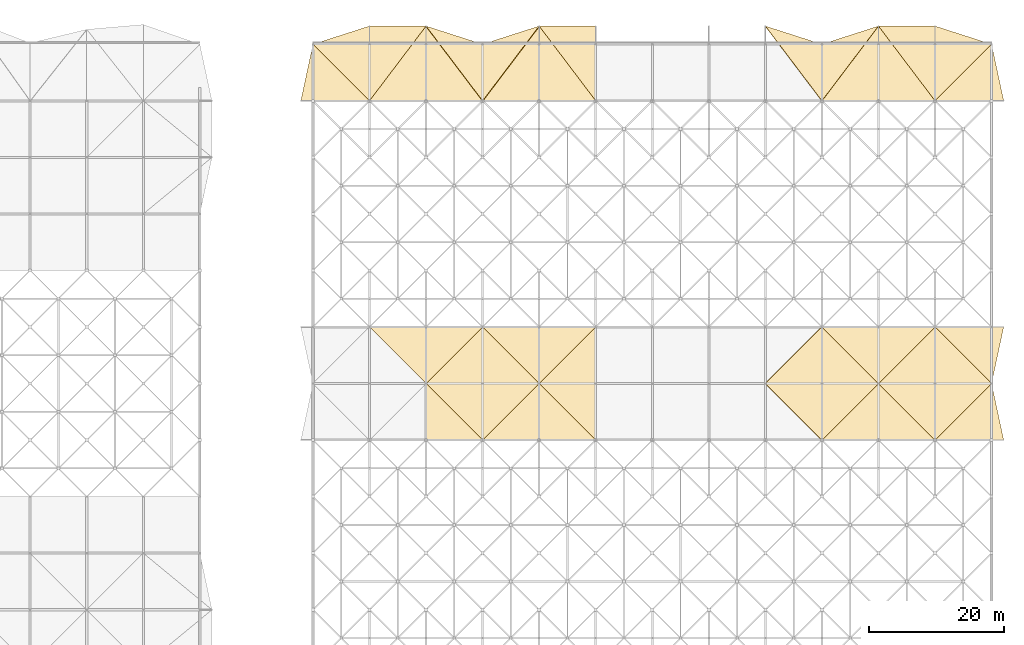
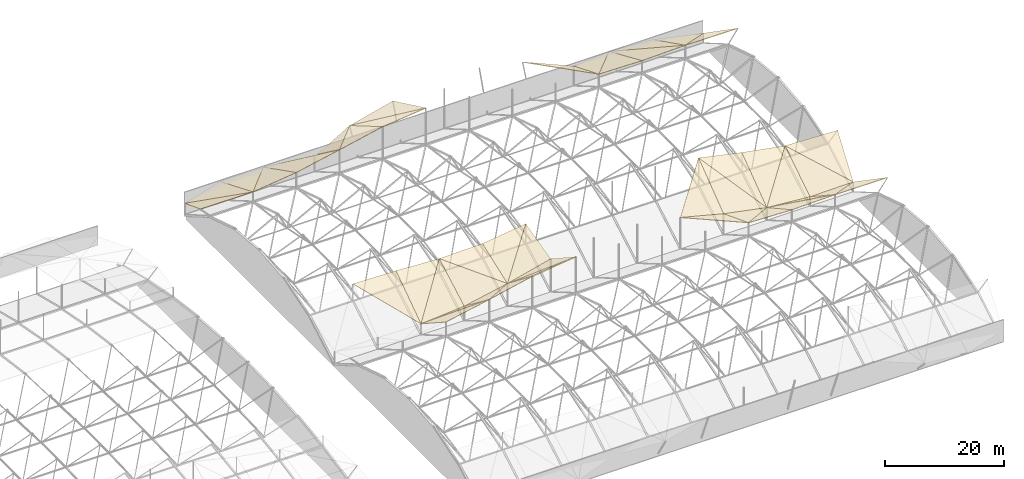
# One storey, part 111 of 111: 44 coverings.
"""IFC4 building model written with IfcOpenShell, lengths in metres."""

from ifc_helpers import new_model, si_unit, direction, frame, origin, place, context, subcontext, project, spatial, polyline, outline, extrude, material, layer, layer_set, type_object, element, save


model = new_model("IFC4")

# Units and contexts
model_context = context("Model", 3, precision=1e-05, world=origin(), true_north=direction((0.0, 1.0)))
body_context = subcontext(model_context, "Body", "Model", "MODEL_VIEW")
ifc_project = project(units=[si_unit("LENGTHUNIT", "METRE"), si_unit("AREAUNIT", "SQUARE_METRE"), si_unit("VOLUMEUNIT", "CUBIC_METRE"), si_unit("PLANEANGLEUNIT", "RADIAN"), si_unit("MASSUNIT", "GRAM", prefix="KILO")], contexts=[model_context])

# Site, building, storey
site_placement = place(None, origin())
site = spatial("IfcSite", under=ifc_project, at=site_placement, CompositionType="ELEMENT")
building_placement = place(site_placement, origin())
building = spatial("IfcBuilding", under=site, at=building_placement, Name="Rain Tree Exposition and Congress Centre", CompositionType="ELEMENT")
storey_placement = place(building_placement, frame((0.0, 0.0, 19.5)))
storey = spatial("IfcBuildingStorey", under=building, at=storey_placement, Name="RF", CompositionType="ELEMENT", Elevation=19.5)

# Coverings
ifc_material = material(Name="Aluminium composite cladding", Category="aluminium")
ifc_layer = layer(ifc_material, 0.10009765625)
ifc_layer_set = layer_set([ifc_layer], Name="Aluminium composite cladding")
covering_type = type_object("IfcCoveringType", Name="Triangular aluminium roof skin facet 100", PredefinedType="CLADDING", material=ifc_layer_set)
covering_1_placement = place(storey_placement, frame((159.60009765625, 142.800048828125, 8.239501953125), z_axis=(-0.165280450957, 0.53860823986, 0.826186139127), x_axis=(0.980570809068, 0.0, 0.196165461804)))
element("IfcCovering", 1, at=covering_1_placement, inside=storey, type_object=covering_type, Name="Roof skin facet B125", PredefinedType="CLADDING", context=body_context, shape_type="SweptSolid", body=[
    extrude(outline(polyline([(0.0, 0.0), (8.566339387297887, 0.0), (-1.0742166279914616, 9.969543964993678), (0.0, 0.0)])), origin(), (0.0, 0.0, -1.0), 0.10009765625),
])
covering_2_placement = place(storey_placement, frame((168.0, 142.800048828125, 9.919921875), z_axis=(-0.063781907794, 0.609476667344, 0.790234180608), x_axis=(0.0, 0.791846489979, -0.610720178402)))
element("IfcCovering", 2, at=covering_2_placement, inside=storey, type_object=covering_type, Name="Roof skin facet B126", PredefinedType="CLADDING", context=body_context, shape_type="SweptSolid", body=[
    extrude(outline(polyline([(0.0, 0.0), (10.607993405347964, 0.0), (11.0220485653631, 8.417040606807756), (0.0, 0.0)])), origin(), (0.0, 0.0, -1.0), 0.10009765625),
])
covering_3_placement = place(storey_placement, frame((168.0, 142.800048828125, 9.919921875), z_axis=(-0.169636266752, 0.609294747627, 0.774585984586), x_axis=(0.976848497466, 0.0, 0.21393226264)))
element("IfcCovering", 3, at=covering_3_placement, inside=storey, type_object=covering_type, Name="Roof skin facet B127", PredefinedType="CLADDING", context=body_context, shape_type="SweptSolid", body=[
    extrude(outline(polyline([(0.0, 0.0), (8.598981690139212, 2.220446049250313e-16), (7.185440978200673, 10.593313262358361), (0.0, 0.0)])), origin(), (0.0, 0.0, -1.0), 0.10009765625),
])
covering_4_placement = place(storey_placement, frame((168.0, 142.800048828125, 9.919921875), z_axis=(-0.159207646983, 0.602930515249, 0.781746582291), x_axis=(0.656224651646, 0.656224651646, -0.372476057141)))
element("IfcCovering", 4, at=covering_4_placement, inside=storey, type_object=covering_type, Name="Roof skin facet B128", PredefinedType="CLADDING", context=body_context, shape_type="SweptSolid", body=[
    extrude(outline(polyline([(0.0, 0.0), (12.80034561743014, -8.881784197001252e-16), (7.9253149455177105, 7.05116352825968), (0.0, 0.0)])), origin(), (0.0, 0.0, -1.0), 0.10009765625),
])
covering_5_placement = place(storey_placement, frame((176.39990234375, 142.800048828125, 11.759521484375), z_axis=(-0.099242491441, 0.615203127166, 0.782097206373), x_axis=(0.992045049517, 0.0, 0.125883357636)))
element("IfcCovering", 5, at=covering_5_placement, inside=storey, type_object=covering_type, Name="Roof skin facet B129", PredefinedType="CLADDING", context=body_context, shape_type="SweptSolid", body=[
    extrude(outline(polyline([(0.0, 0.0), (8.467505067908833, 0.0), (-0.8317644509439512, 10.654790055036804), (0.0, 0.0)])), origin(), (0.0, 0.0, -1.0), 0.10009765625),
])
covering_6_placement = place(storey_placement, frame((184.800048828125, 142.800048828125, 12.825439453125), z_axis=(-0.207317041695, 0.538660218938, 0.816617911116), x_axis=(0.0, 0.834753935039, -0.550623163277)))
element("IfcCovering", 6, at=covering_6_placement, inside=storey, type_object=covering_type, Name="Roof skin facet B130", PredefinedType="CLADDING", context=body_context, shape_type="SweptSolid", body=[
    extrude(outline(polyline([(0.0, 0.0), (10.06272865710886, 1.1102230246251565e-16), (11.23697019305228, 8.586702835293085), (0.0, 0.0)])), origin(), (0.0, 0.0, -1.0), 0.10009765625),
])
covering_7_placement = place(storey_placement, frame((218.39990234375, 142.800048828125, 8.054931640625), z_axis=(0.234890478885, 0.352348883358, 0.905912096909), x_axis=(0.0, 0.931987386493, -0.362490705285)))
element("IfcCovering", 7, at=covering_7_placement, inside=storey, type_object=covering_type, Name="Roof skin facet B138", PredefinedType="CLADDING", context=body_context, shape_type="SweptSolid", body=[
    extrude(outline(polyline([(0.0, 0.0), (9.012892733838074, 0.0), (8.22339576561287, 8.641680643036056), (0.0, 0.0)])), origin(), (0.0, 0.0, -1.0), 0.10009765625),
])
covering_8_placement = place(storey_placement, frame((218.39990234375, 142.800048828125, 8.054931640625), z_axis=(0.030623516569, 0.484221427029, 0.874409406307), x_axis=(0.999387295318, 0.0, -0.035000485101)))
element("IfcCovering", 8, at=covering_8_placement, inside=storey, type_object=covering_type, Name="Roof skin facet B139", PredefinedType="CLADDING", context=body_context, shape_type="SweptSolid", body=[
    extrude(outline(polyline([(0.0, 0.0), (8.405296448864114, 0.0), (8.56810510184816, 9.600486481162875), (0.0, 0.0)])), origin(), (0.0, 0.0, -1.0), 0.10009765625),
])
covering_9_placement = place(storey_placement, frame((218.39990234375, 142.800048828125, 8.054931640625), z_axis=(0.183102414725, 0.356362380802, 0.916231062163), x_axis=(0.652800689958, 0.652781717055, -0.384353078652)))
element("IfcCovering", 9, at=covering_9_placement, inside=storey, type_object=covering_type, Name="Roof skin facet B140", PredefinedType="CLADDING", context=body_context, shape_type="SweptSolid", body=[
    extrude(outline(polyline([(0.0, 0.0), (12.867857852467424, -1.1102230246251565e-16), (6.739018714722702, 5.98480260278385), (0.0, 0.0)])), origin(), (0.0, 0.0, -1.0), 0.10009765625),
])
covering_10_placement = place(storey_placement, frame((226.800048828125, 142.800048828125, 7.7607421875), z_axis=(-0.01911713638, 0.484360105645, 0.874659832825), x_axis=(0.999761228906, 0.0, 0.021851434172)))
element("IfcCovering", 10, at=covering_10_placement, inside=storey, type_object=covering_type, Name="Roof skin facet B141", PredefinedType="CLADDING", context=body_context, shape_type="SweptSolid", body=[
    extrude(outline(polyline([(0.0, 0.0), (8.40190847662457, 0.0), (-0.10164437873239518, 9.601328853484276), (0.0, 0.0)])), origin(), (0.0, 0.0, -1.0), 0.10009765625),
])
covering_11_placement = place(storey_placement, frame((235.199951171875, 142.800048828125, 7.9443359375), z_axis=(0.07094000804, 0.549960416919, 0.832172491183), x_axis=(0.0, 0.834274375476, -0.551349495715)))
element("IfcCovering", 11, at=covering_11_placement, inside=storey, type_object=covering_type, Name="Roof skin facet B142", PredefinedType="CLADDING", context=body_context, shape_type="SweptSolid", body=[
    extrude(outline(polyline([(0.0, 0.0), (10.068512938518841, 0.0), (9.6737111633891, 8.421118645638495), (0.0, 0.0)])), origin(), (0.0, 0.0, -1.0), 0.10009765625),
])
covering_12_placement = place(storey_placement, frame((235.199951171875, 142.800048828125, 7.9443359375), z_axis=(0.003259601804, 0.541591932481, 0.840635208439), x_axis=(0.999992482403, 0.0, -0.003877516986)))
element("IfcCovering", 12, at=covering_12_placement, inside=storey, type_object=covering_type, Name="Roof skin facet B143", PredefinedType="CLADDING", context=body_context, shape_type="SweptSolid", body=[
    extrude(outline(polyline([(0.0, 0.0), (10.200027851576275, -3.469446951953614e-18), (8.421193840530929, 9.992252420953566), (0.0, 0.0)])), origin(), (0.0, 0.0, -1.0), 0.10009765625),
])
covering_13_placement = place(storey_placement, frame((235.199951171875, 142.800048828125, 7.9443359375), z_axis=(-0.010619687003, 0.55131840486, 0.834227330355), x_axis=(0.6428234833, 0.642804800372, -0.416629281181)))
element("IfcCovering", 13, at=covering_13_placement, inside=storey, type_object=covering_type, Name="Roof skin facet B144", PredefinedType="CLADDING", context=body_context, shape_type="SweptSolid", body=[
    extrude(outline(polyline([(0.0, 0.0), (13.067578740679103, -4.440892098500626e-16), (7.7123189836644865, 6.472641554058877), (0.0, 0.0)])), origin(), (0.0, 0.0, -1.0), 0.10009765625),
])
covering_14_placement = place(storey_placement, frame((159.60009765625, 151.199951171875, 2.763427734375), z_axis=(0.025704321134, -0.567886164598, 0.822705653277), x_axis=(0.0, 0.82297757383, 0.568073862251)))
element("IfcCovering", 14, at=covering_14_placement, inside=storey, type_object=covering_type, Name="Roof skin facet B148", PredefinedType="CLADDING", context=body_context, shape_type="SweptSolid", body=[
    extrude(outline(polyline([(0.0, 0.0), (10.207017483211072, 1.3877787807814457e-17), (10.356109134070373, 8.402922899576094), (0.0, 0.0)])), origin(), (0.0, 0.0, -1.0), 0.10009765625),
])
covering_15_placement = place(storey_placement, frame((159.60009765625, 151.199951171875, 2.763427734375), z_axis=(-0.070324408059, -0.485697855457, 0.871293332257), x_axis=(0.996758561519, 0.0, 0.080451041253)))
element("IfcCovering", 15, at=covering_15_placement, inside=storey, type_object=covering_type, Name="Roof skin facet B149", PredefinedType="CLADDING", context=body_context, shape_type="SweptSolid", body=[
    extrude(outline(polyline([(0.0, 0.0), (8.427218654585024, -5.551115123125783e-17), (8.803940083106887, 9.609757835082036), (0.0, 0.0)])), origin(), (0.0, 0.0, -1.0), 0.10009765625),
])
covering_16_placement = place(storey_placement, frame((159.60009765625, 151.199951171875, 2.763427734375), z_axis=(0.042848444337, -0.567552133936, 0.822221737783), x_axis=(0.644514599728, 0.644533332351, 0.411312185847)))
element("IfcCovering", 16, at=covering_16_placement, inside=storey, type_object=covering_type, Name="Roof skin facet B150", PredefinedType="CLADDING", context=body_context, shape_type="SweptSolid", body=[
    extrude(outline(polyline([(0.0, 0.0), (13.032912438739725, 8.881784197001252e-16), (7.799102241221796, 6.584619209456658), (0.0, 0.0)])), origin(), (0.0, 0.0, -1.0), 0.10009765625),
])
covering_17_placement = place(storey_placement, frame((168.0, 151.199951171875, 3.44140625), z_axis=(-0.175135494888, -0.479377931153, 0.859956020709), x_axis=(0.97988562531, 0.0, 0.1995599191)))
element("IfcCovering", 17, at=covering_17_placement, inside=storey, type_object=covering_type, Name="Roof skin facet B151", PredefinedType="CLADDING", context=body_context, shape_type="SweptSolid", body=[
    extrude(outline(polyline([(0.0, 0.0), (8.572329389048608, 0.0), (0.9344627071126267, 9.571632260625346), (0.0, 0.0)])), origin(), (0.0, 0.0, -1.0), 0.10009765625),
])
covering_18_placement = place(storey_placement, frame((176.39990234375, 151.199951171875, 5.152099609375), z_axis=(-0.017510450453, -0.349000638689, 0.936958877603), x_axis=(0.0, 0.937102553877, 0.349054155564)))
element("IfcCovering", 18, at=covering_18_placement, inside=storey, type_object=covering_type, Name="Roof skin facet B152", PredefinedType="CLADDING", context=body_context, shape_type="SweptSolid", body=[
    extrude(outline(polyline([(0.0, 0.0), (8.963956452384556, 0.0), (8.90916108567858, 8.401190411667981), (0.0, 0.0)])), origin(), (0.0, 0.0, -1.0), 0.10009765625),
])
covering_19_placement = place(storey_placement, frame((176.39990234375, 151.199951171875, 5.152099609375), z_axis=(-0.239074743707, -0.236693575682, 0.941710899455), x_axis=(0.969252848118, 0.0, 0.246066894188)))
element("IfcCovering", 19, at=covering_19_placement, inside=storey, type_object=covering_type, Name="Roof skin facet B153", PredefinedType="CLADDING", context=body_context, shape_type="SweptSolid", body=[
    extrude(outline(polyline([(0.0, 0.0), (8.666620377423087, 5.551115123125783e-17), (9.186148331752651, 8.645823160060807), (0.0, 0.0)])), origin(), (0.0, 0.0, -1.0), 0.10009765625),
])
covering_20_placement = place(storey_placement, frame((176.39990234375, 151.199951171875, 5.152099609375), z_axis=(-0.12343473191, -0.346384831216, 0.929936242794), x_axis=(0.665891106817, 0.665891106817, 0.336419481786)))
element("IfcCovering", 20, at=covering_20_placement, inside=storey, type_object=covering_type, Name="Roof skin facet B154", PredefinedType="CLADDING", context=body_context, shape_type="SweptSolid", body=[
    extrude(outline(polyline([(0.0, 0.0), (12.614895135830732, 2.220446049250313e-16), (6.6462078590834395, 6.015017570556572), (0.0, 0.0)])), origin(), (0.0, 0.0, -1.0), 0.10009765625),
])
covering_21_placement = place(storey_placement, frame((210.0, 151.199951171875, 6.9658203125), z_axis=(0.202207199189, -0.592392529852, 0.779861102487), x_axis=(0.967990569437, 0.0, -0.250986568329)))
element("IfcCovering", 21, at=covering_21_placement, inside=storey, type_object=covering_type, Name="Roof skin facet B161", PredefinedType="CLADDING", context=body_context, shape_type="SweptSolid", body=[
    extrude(outline(polyline([(0.0, 0.0), (8.67766960647044, -2.220446049250313e-16), (7.076159608946233, 10.426552308904085), (0.0, 0.0)])), origin(), (0.0, 0.0, -1.0), 0.10009765625),
])
covering_22_placement = place(storey_placement, frame((218.39990234375, 151.199951171875, 4.787841796875), z_axis=(0.157159596506, -0.597371031746, 0.786415101366), x_axis=(0.980610261003, 0.0, -0.195968150512)))
element("IfcCovering", 22, at=covering_22_placement, inside=storey, type_object=covering_type, Name="Roof skin facet B163", PredefinedType="CLADDING", context=body_context, shape_type="SweptSolid", body=[
    extrude(outline(polyline([(0.0, 0.0), (8.566243714174831, 0.0), (-1.2504452103945005, 10.474455312725553), (0.0, 0.0)])), origin(), (0.0, 0.0, -1.0), 0.10009765625),
])
covering_23_placement = place(storey_placement, frame((226.800048828125, 151.199951171875, 3.109130859375), z_axis=(0.171881621254, -0.587101268105, 0.791055503277), x_axis=(0.0, 0.803006152899, 0.5959707362)))
element("IfcCovering", 23, at=covering_23_placement, inside=storey, type_object=covering_type, Name="Roof skin facet B164", PredefinedType="CLADDING", context=body_context, shape_type="SweptSolid", body=[
    extrude(outline(polyline([(0.0, 0.0), (10.460874370700695, 0.0), (11.548637364799724, 8.527049346426836), (0.0, 0.0)])), origin(), (0.0, 0.0, -1.0), 0.10009765625),
])
covering_24_placement = place(storey_placement, frame((226.800048828125, 151.199951171875, 3.109130859375), z_axis=(0.071585961684, -0.538233661897, 0.839749948074), x_axis=(0.996386179384, 0.0, -0.08493869279)))
element("IfcCovering", 24, at=covering_24_placement, inside=storey, type_object=covering_type, Name="Roof skin facet B165", PredefinedType="CLADDING", context=body_context, shape_type="SweptSolid", body=[
    extrude(outline(polyline([(0.0, 0.0), (8.43036818208825, -5.551115123125783e-17), (7.9730554398768465, 9.967002535723628), (0.0, 0.0)])), origin(), (0.0, 0.0, -1.0), 0.10009765625),
])
covering_25_placement = place(storey_placement, frame((226.800048828125, 151.199951171875, 3.109130859375), z_axis=(0.148092713253, -0.589399254205, 0.794151791174), x_axis=(0.658111321508, 0.658130449315, 0.365723666431)))
element("IfcCovering", 25, at=covering_25_placement, inside=storey, type_object=covering_type, Name="Roof skin facet B166", PredefinedType="CLADDING", context=body_context, shape_type="SweptSolid", body=[
    extrude(outline(polyline([(0.0, 0.0), (12.763649658090392, -4.440892098500626e-16), (7.80845066297832, 6.96117740352996), (0.0, 0.0)])), origin(), (0.0, 0.0, -1.0), 0.10009765625),
])
covering_26_placement = place(storey_placement, frame((235.199951171875, 151.199951171875, 2.39306640625), z_axis=(-0.01071687069, -0.539587098912, 0.841861574946), x_axis=(0.999918983807, 0.0, 0.012728936406)))
element("IfcCovering", 26, at=covering_26_placement, inside=storey, type_object=covering_type, Name="Roof skin facet B167", PredefinedType="CLADDING", context=body_context, shape_type="SweptSolid", body=[
    extrude(outline(polyline([(0.0, 0.0), (8.400827087402167, 0.0), (0.06853301624822722, 9.977253014582423), (0.0, 0.0)])), origin(), (0.0, 0.0, -1.0), 0.10009765625),
])
covering_27_placement = place(storey_placement, frame((243.60009765625, 151.199951171875, 2.5), z_axis=(0.032318512187, -0.508304949379, 0.860570503914), x_axis=(0.182036891429, 0.849612496393, 0.494996137492)))
element("IfcCovering", 27, at=covering_27_placement, inside=storey, type_object=covering_type, Name="Roof skin facet B168", PredefinedType="CLADDING", context=body_context, shape_type="SweptSolid", body=[
    extrude(outline(polyline([(0.0, 0.0), (9.887032641398326, 2.220446049250313e-16), (8.219876794889789, 10.07007088763597), (0.0, 0.0)])), origin(), (0.0, 0.0, -1.0), 0.10009765625),
])
covering_28_placement = place(storey_placement, frame((141.0, 193.199951171875, 7.39404296875), z_axis=(0.005241409328, 0.475978816617, 0.879441125807), x_axis=(0.999982240078, 0.0, -0.005959826175)))
element("IfcCovering", 28, at=covering_28_placement, inside=storey, type_object=covering_type, Name="Roof skin facet B265", PredefinedType="CLADDING", context=body_context, shape_type="SweptSolid", body=[
    extrude(outline(polyline([(0.0, 0.0), (10.200132325426711, 0.0), (1.82717655553857, 9.551517494391213), (0.0, 0.0)])), origin(), (0.0, 0.0, -1.0), 0.10009765625),
])
covering_29_placement = place(storey_placement, frame((151.199951171875, 193.199951171875, 7.333251953125), z_axis=(-0.112391415876, 0.379230280633, 0.918451176649), x_axis=(0.0, 0.924307577956, -0.381648400145)))
element("IfcCovering", 29, at=covering_29_placement, inside=storey, type_object=covering_type, Name="Roof skin facet B266", PredefinedType="CLADDING", context=body_context, shape_type="SweptSolid", body=[
    extrude(outline(polyline([(0.0, 0.0), (12.009095155094363, 0.0), (9.480339213915572, 8.453463382499455), (0.0, 0.0)])), origin(), (0.0, 0.0, -1.0), 0.10009765625),
])
covering_30_placement = place(storey_placement, frame((151.199951171875, 193.199951171875, 7.333251953125), z_axis=(-0.110001646852, 0.449297928305, 0.88658389863), x_axis=(0.992390615929, 0.0, 0.12312946608)))
element("IfcCovering", 30, at=covering_30_placement, inside=storey, type_object=covering_type, Name="Roof skin facet B267", PredefinedType="CLADDING", context=body_context, shape_type="SweptSolid", body=[
    extrude(outline(polyline([(0.0, 0.0), (8.464556546129344, 0.0), (7.7719232385271155, 12.42480578202825), (0.0, 0.0)])), origin(), (0.0, 0.0, -1.0), 0.10009765625),
])
covering_31_placement = place(storey_placement, frame((151.199951171875, 193.199951171875, 7.333251953125), z_axis=(-2.686394e-05, 0.381648400007, 0.924307577623), x_axis=(0.573180446545, 0.757410474107, -0.312719601899)))
element("IfcCovering", 31, at=covering_31_placement, inside=storey, type_object=covering_type, Name="Roof skin facet B268", PredefinedType="CLADDING", context=body_context, shape_type="SweptSolid", body=[
    extrude(outline(polyline([(0.0, 0.0), (14.655326320033971, -6.661338147750939e-16), (9.840602954638285, 6.883378526078248), (0.0, 0.0)])), origin(), (0.0, 0.0, -1.0), 0.10009765625),
])
covering_32_placement = place(storey_placement, frame((159.60009765625, 193.199951171875, 8.37548828125), z_axis=(-0.181868904032, 0.44450239572, 0.877121041787), x_axis=(0.979172710756, 0.0, 0.203029068143)))
element("IfcCovering", 32, at=covering_32_placement, inside=storey, type_object=covering_type, Name="Roof skin facet B269", PredefinedType="CLADDING", context=body_context, shape_type="SweptSolid", body=[
    extrude(outline(polyline([(0.0, 0.0), (8.57857071738242, -1.1102230246251565e-16), (-1.1420880759486338, 12.391576753855766), (0.0, 0.0)])), origin(), (0.0, 0.0, -1.0), 0.10009765625),
])
covering_33_placement = place(storey_placement, frame((168.0, 193.199951171875, 10.1171875), z_axis=(0.118233923172, 0.609662679898, 0.783793439721), x_axis=(0.0, 0.789329981764, -0.613969201091)))
element("IfcCovering", 33, at=covering_33_placement, inside=storey, type_object=covering_type, Name="Roof skin facet B270", PredefinedType="CLADDING", context=body_context, shape_type="SweptSolid", body=[
    extrude(outline(polyline([(0.0, 0.0), (10.642122659022231, 0.0), (13.28471620942509, 8.459237380408544), (0.0, 0.0)])), origin(), (0.0, 0.0, -1.0), 0.10009765625),
])
covering_34_placement = place(storey_placement, frame((168.0, 193.199951171875, 10.1171875), z_axis=(-0.181148571181, 0.49694311074, 0.848665269613), x_axis=(0.977969321255, 0.0, 0.2087486687)))
element("IfcCovering", 34, at=covering_34_placement, inside=storey, type_object=covering_type, Name="Roof skin facet B271", PredefinedType="CLADDING", context=body_context, shape_type="SweptSolid", body=[
    extrude(outline(polyline([(0.0, 0.0), (8.589126633308727, 0.0), (7.232311250788347, 12.791326992439934), (0.0, 0.0)])), origin(), (0.0, 0.0, -1.0), 0.10009765625),
])
covering_35_placement = place(storey_placement, frame((168.0, 193.199951171875, 10.1171875), z_axis=(-0.346217556565, 0.575997817576, 0.740513279877), x_axis=(0.57164104464, 0.755398236807, -0.320312378643)))
element("IfcCovering", 35, at=covering_35_placement, inside=storey, type_object=covering_type, Name="Roof skin facet B272", PredefinedType="CLADDING", context=body_context, shape_type="SweptSolid", body=[
    extrude(outline(polyline([(0.0, 0.0), (14.694365323340856, 4.440892098500626e-16), (8.438356280140084, 6.484513704133473), (0.0, 0.0)])), origin(), (0.0, 0.0, -1.0), 0.10009765625),
])
covering_36_placement = place(storey_placement, frame((176.39990234375, 193.199951171875, 11.91015625), z_axis=(-0.094059084616, 0.503062772159, 0.859116252826), x_axis=(0.994060024999, 0.0, 0.108833205864)))
element("IfcCovering", 36, at=covering_36_placement, inside=storey, type_object=covering_type, Name="Roof skin facet B273", PredefinedType="CLADDING", context=body_context, shape_type="SweptSolid", body=[
    extrude(outline(polyline([(0.0, 0.0), (8.450341300448333, 0.0), (-0.7073892675108266, 12.843620775855104), (0.0, 0.0)])), origin(), (0.0, 0.0, -1.0), 0.10009765625),
])
covering_37_placement = place(storey_placement, frame((184.800048828125, 193.199951171875, 12.829833984375), z_axis=(-0.221921091054, 0.420183334553, 0.879884648525), x_axis=(0.0, 0.902385978319, -0.430928701915)))
element("IfcCovering", 37, at=covering_37_placement, inside=storey, type_object=covering_type, Name="Roof skin facet B274", PredefinedType="CLADDING", context=body_context, shape_type="SweptSolid", body=[
    extrude(outline(polyline([(0.0, 0.0), (12.300831266164018, 0.0), (13.213819370464774, 8.614963809212453), (0.0, 0.0)])), origin(), (0.0, 0.0, -1.0), 0.10009765625),
])
covering_38_placement = place(storey_placement, frame((218.39990234375, 193.199951171875, 8.000732421875), z_axis=(0.339122161874, 0.356356547214, 0.870635498118), x_axis=(0.0, 0.925477101055, -0.378803557827)))
element("IfcCovering", 38, at=covering_38_placement, inside=storey, type_object=covering_type, Name="Roof skin facet B282", PredefinedType="CLADDING", context=body_context, shape_type="SweptSolid", body=[
    extrude(outline(polyline([(0.0, 0.0), (9.076557890841116, 0.0), (10.75452900530713, 8.929014825427284), (0.0, 0.0)])), origin(), (0.0, 0.0, -1.0), 0.10009765625),
])
covering_39_placement = place(storey_placement, frame((218.39990234375, 193.199951171875, 8.000732421875), z_axis=(0.018438748992, 0.39893259408, 0.916794850507), x_axis=(0.999797811315, 0.0, -0.020108120017)))
element("IfcCovering", 39, at=covering_39_placement, inside=storey, type_object=covering_type, Name="Roof skin facet B283", PredefinedType="CLADDING", context=body_context, shape_type="SweptSolid", body=[
    extrude(outline(polyline([(0.0, 0.0), (8.40184524241987, 0.0), (8.498969033049525, 12.105056366708252), (0.0, 0.0)])), origin(), (0.0, 0.0, -1.0), 0.10009765625),
])
covering_40_placement = place(storey_placement, frame((218.39990234375, 193.199951171875, 8.000732421875), z_axis=(0.050141358879, 0.378327072555, 0.924312972051), x_axis=(0.567934267826, 0.750478083558, -0.33798419124)))
element("IfcCovering", 40, at=covering_40_placement, inside=storey, type_object=covering_type, Name="Roof skin facet B284", PredefinedType="CLADDING", context=body_context, shape_type="SweptSolid", body=[
    extrude(outline(polyline([(0.0, 0.0), (14.790701953116315, -6.661338147750939e-16), (7.466194039602437, 5.161380601040303), (0.0, 0.0)])), origin(), (0.0, 0.0, -1.0), 0.10009765625),
])
covering_41_placement = place(storey_placement, frame((226.800048828125, 193.199951171875, 7.831787109375), z_axis=(-0.025043985059, 0.398875281021, 0.916663138237), x_axis=(0.999626995305, 0.0, 0.027310625344)))
element("IfcCovering", 41, at=covering_41_placement, inside=storey, type_object=covering_type, Name="Roof skin facet B285", PredefinedType="CLADDING", context=body_context, shape_type="SweptSolid", body=[
    extrude(outline(polyline([(0.0, 0.0), (8.403036715893862, -1.3877787807814457e-17), (-0.13191245405432422, 12.104727249151699), (0.0, 0.0)])), origin(), (0.0, 0.0, -1.0), 0.10009765625),
])
covering_42_placement = place(storey_placement, frame((235.199951171875, 193.199951171875, 8.061279296875), z_axis=(0.053324700773, 0.447299788589, 0.892793019359), x_axis=(0.0, 0.894065071897, -0.447937101851)))
element("IfcCovering", 42, at=covering_42_placement, inside=storey, type_object=covering_type, Name="Roof skin facet B286", PredefinedType="CLADDING", context=body_context, shape_type="SweptSolid", body=[
    extrude(outline(polyline([(0.0, 0.0), (12.41531293991969, 5.551115123125783e-17), (12.19057887148638, 8.411870534430777), (0.0, 0.0)])), origin(), (0.0, 0.0, -1.0), 0.10009765625),
])
covering_43_placement = place(storey_placement, frame((235.199951171875, 193.199951171875, 8.061279296875), z_axis=(0.006127605544, 0.547751856595, 0.836618405277), x_axis=(0.999973178732, 0.0, -0.007324057366)))
element("IfcCovering", 43, at=covering_43_placement, inside=storey, type_object=covering_type, Name="Roof skin facet B287", PredefinedType="CLADDING", context=body_context, shape_type="SweptSolid", body=[
    extrude(outline(polyline([(0.0, 0.0), (10.20022475483518, 0.0), (8.440652310394631, 10.040325587887857), (0.0, 0.0)])), origin(), (0.0, 0.0, -1.0), 0.10009765625),
])
covering_44_placement = place(storey_placement, frame((235.199951171875, 193.199951171875, 8.061279296875), z_axis=(0.142505268999, 0.44336547522, 0.884940282556), x_axis=(0.640406971549, 0.640406971549, -0.423978562645)))
element("IfcCovering", 44, at=covering_44_placement, inside=storey, type_object=covering_type, Name="Roof skin facet B288", PredefinedType="CLADDING", context=body_context, shape_type="SweptSolid", body=[
    extrude(outline(polyline([(0.0, 0.0), (13.116887944011943, 0.0), (9.466443126694829, 8.032835733736217), (0.0, 0.0)])), origin(), (0.0, 0.0, -1.0), 0.10009765625),
])

save(model, "model.ifc")
